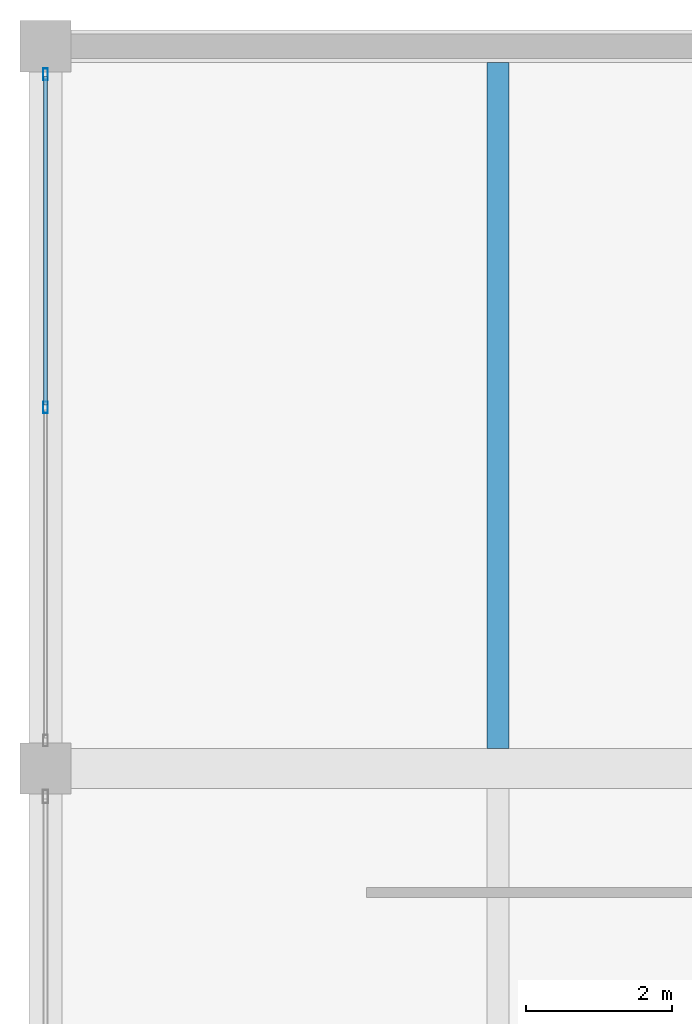
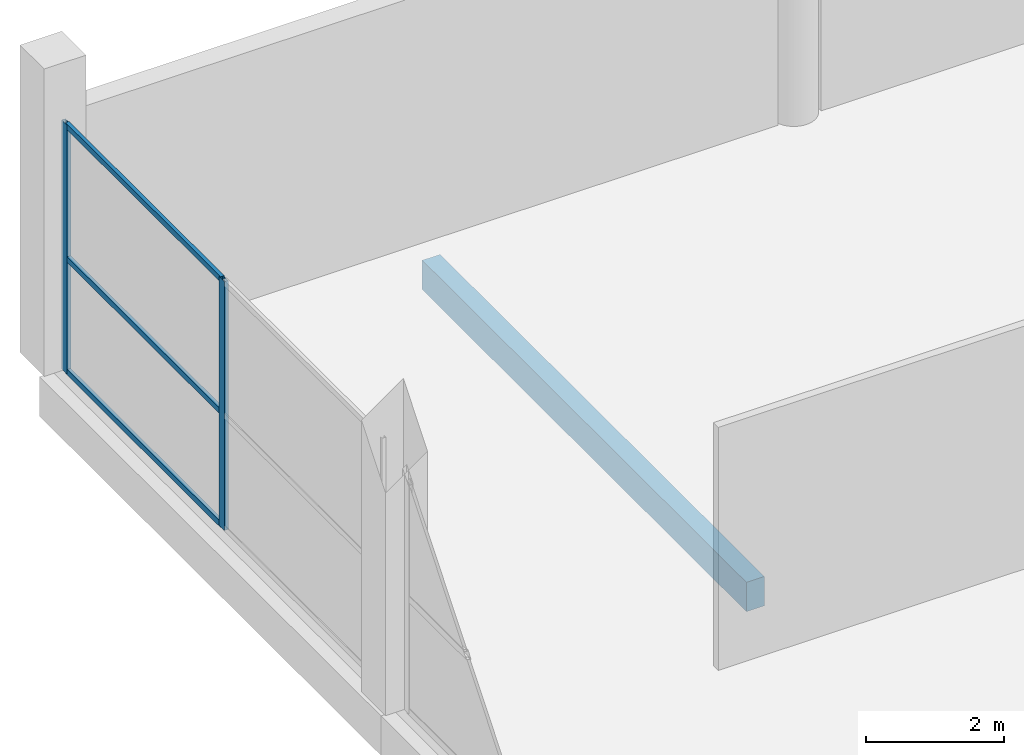
# One storey, part 29 of 74: 5 members, 1 beam, 1 element without a shape of its own.
"""IFC4 building model written with IfcOpenShell, lengths in metres."""

from ifc_helpers import new_model, si_unit, direction, frame, origin, origin_2d, place, context, subcontext, project, spatial, rectangle, hollow_rectangle, extrude, material, layer, layer_set, material_profile, profile_set, type_object, element, aggregate, save


model = new_model("IFC4")

# Units and contexts
model_context = context("Model", 3, precision=1e-05, world=origin(), true_north=direction((0.0, 1.0)))
body_context = subcontext(model_context, "Body", "Model", "MODEL_VIEW")
ifc_project = project(units=[si_unit("LENGTHUNIT", "METRE"), si_unit("AREAUNIT", "SQUARE_METRE"), si_unit("VOLUMEUNIT", "CUBIC_METRE"), si_unit("PLANEANGLEUNIT", "RADIAN"), si_unit("MASSUNIT", "GRAM", prefix="KILO")], contexts=[model_context])

# Site, building, storey
site_placement = place(None, origin())
site = spatial("IfcSite", under=ifc_project, at=site_placement, CompositionType="ELEMENT")
building_placement = place(site_placement, origin())
building = spatial("IfcBuilding", under=site, at=building_placement, Name="Sillaruma Civic Art Gallery", CompositionType="ELEMENT")
storey_placement = place(building_placement, frame((0.0, 0.0, 5.43994140625)))
storey = spatial("IfcBuildingStorey", under=building, at=storey_placement, Name="L01", CompositionType="ELEMENT", Elevation=5.43994140625)

# Beam
ifc_material_1 = material(Name="Concrete H35 (35 MPa)", Category="concrete")
ifc_material_profile_1 = material_profile(ifc_material_1, rectangle(XDim=0.300048828125, YDim=0.52001953125, at=origin_2d()), Name="RCB300x520")
ifc_profile_set_1 = profile_set([ifc_material_profile_1], Name="Concrete H35 (35 MPa)")
beam_type = type_object("IfcBeamType", Name="BM-JOIST-RCB300x520", PredefinedType="JOIST", material=ifc_profile_set_1)
beam_placement = place(storey_placement, frame((6.199951171875, 109.175048828125, -0.52001953125), z_axis=(0.0, 1.0, 0.0), x_axis=(-1.0, 0.0, 0.0)))
element("IfcBeam", 1, at=beam_placement, inside=storey, type_object=beam_type, Name="Floor Joist JR-01 (L00:AB:12-13)", PredefinedType="JOIST", context=body_context, shape_type="SweptSolid", body=[
    extrude(rectangle(XDim=0.300048828125, YDim=0.52001953125, at=origin_2d()), origin(), (0.0, 0.0, 1.0), 9.39990234375),
])

# Curtain wall, members
ifc_material_2 = material(Name="Thermally Broken Extruded Aluminium 6063-T6", Category="aluminium")
ifc_layer = layer(ifc_material_2, 0.159912109375, Name="Thermally Broken Extruded Aluminium 6063-T6")
ifc_layer_set = layer_set([ifc_layer], Name="Thermally Broken Extruded Aluminium 6063-T6")
curtain_wall_type = type_object("IfcCurtainWallType", Name="CW-UNI-10", PredefinedType="NOTDEFINED", material=ifc_layer_set)
curtain_wall_placement = place(storey_placement, origin())
curtain_wall = element("IfcCurtainWall", 2, at=curtain_wall_placement, inside=storey, type_object=curtain_wall_type, Name="Unitised Curtain Wall CW-10 (CW-L01-WSTR-4)", PredefinedType="NOTDEFINED")
ifc_material_profile_2 = material_profile(ifc_material_2, hollow_rectangle(XDim=0.06494140625, YDim=0.159912109375, WallThickness=0.00390625, at=origin_2d()), Name="CWM65x160")
ifc_profile_set_2 = profile_set([ifc_material_profile_2], Name="Thermally Broken Extruded Aluminium 6063-T6")
member_type_1 = type_object("IfcMemberType", Name="MEM-MUL-CWM65x160", PredefinedType="MULLION", material=ifc_profile_set_2)
member_1_placement = place(storey_placement, frame((0.0, 113.85009765625, 0.0), z_axis=(0.0, 0.0, 1.0), x_axis=(-1.0, 0.0, 0.0)))
member_1 = element("IfcMember", 3, at=member_1_placement, type_object=member_type_1, Name="CW-10 mullion 2", PredefinedType="MULLION", context=body_context, shape_type="SweptSolid", body=[
    extrude(hollow_rectangle(XDim=0.06494140625, YDim=0.159912109375, WallThickness=0.00390625, at=origin_2d()), origin(), (0.0, 0.0, 1.0), 4.400146484375),
])
member_2_placement = place(storey_placement, frame((0.0, 118.41748046875, 0.0), z_axis=(0.0, 0.0, 1.0), x_axis=(-1.0, 0.0, 0.0)))
member_2 = element("IfcMember", 4, at=member_2_placement, type_object=member_type_1, Name="CW-10 mullion 3", PredefinedType="MULLION", context=body_context, shape_type="SweptSolid", body=[
    extrude(hollow_rectangle(XDim=0.06494140625, YDim=0.159912109375, WallThickness=0.00390625, at=origin_2d()), origin(), (0.0, 0.0, 1.0), 4.400146484375),
])
ifc_material_profile_3 = material_profile(ifc_material_2, hollow_rectangle(XDim=0.06005859375, YDim=0.10009765625, WallThickness=0.003173828125, at=origin_2d()), Name="CWT60x100")
ifc_profile_set_3 = profile_set([ifc_material_profile_3], Name="Thermally Broken Extruded Aluminium 6063-T6")
member_type_2 = type_object("IfcMemberType", Name="MEM-TRN-CWT60x100", PredefinedType="USERDEFINED", material=ifc_profile_set_3)
member_3_placement = place(storey_placement, frame((0.0, 113.882568359375, 0.030029296875), z_axis=(0.0, 1.0, 0.0), x_axis=(-1.0, 0.0, 0.0)))
member_3 = element("IfcMember", 5, at=member_3_placement, type_object=member_type_2, Name="CW-10 transom 2.1", ObjectType="TRANSOM", PredefinedType="USERDEFINED", context=body_context, shape_type="SweptSolid", body=[
    extrude(hollow_rectangle(XDim=0.06005859375, YDim=0.10009765625, WallThickness=0.003173828125, at=origin_2d()), origin(), (0.0, 0.0, 1.0), 4.50244140625),
])
member_4_placement = place(storey_placement, frame((0.0, 113.882568359375, 2.024169921875), z_axis=(0.0, 1.0, 0.0), x_axis=(-1.0, 0.0, 0.0)))
member_4 = element("IfcMember", 6, at=member_4_placement, type_object=member_type_2, Name="CW-10 transom 2.2", ObjectType="TRANSOM", PredefinedType="USERDEFINED", context=body_context, shape_type="SweptSolid", body=[
    extrude(hollow_rectangle(XDim=0.06005859375, YDim=0.10009765625, WallThickness=0.003173828125, at=origin_2d()), origin(), (0.0, 0.0, 1.0), 4.50244140625),
])
member_5_placement = place(storey_placement, frame((0.0, 113.882568359375, 4.3701171875), z_axis=(0.0, 1.0, 0.0), x_axis=(-1.0, 0.0, 0.0)))
member_5 = element("IfcMember", 7, at=member_5_placement, type_object=member_type_2, Name="CW-10 transom 2.3", ObjectType="TRANSOM", PredefinedType="USERDEFINED", context=body_context, shape_type="SweptSolid", body=[
    extrude(hollow_rectangle(XDim=0.06005859375, YDim=0.10009765625, WallThickness=0.003173828125, at=origin_2d()), origin(), (0.0, 0.0, 1.0), 4.50244140625),
])
aggregate(curtain_wall, [member_1, member_2, member_3, member_4, member_5])

save(model, "model.ifc")
